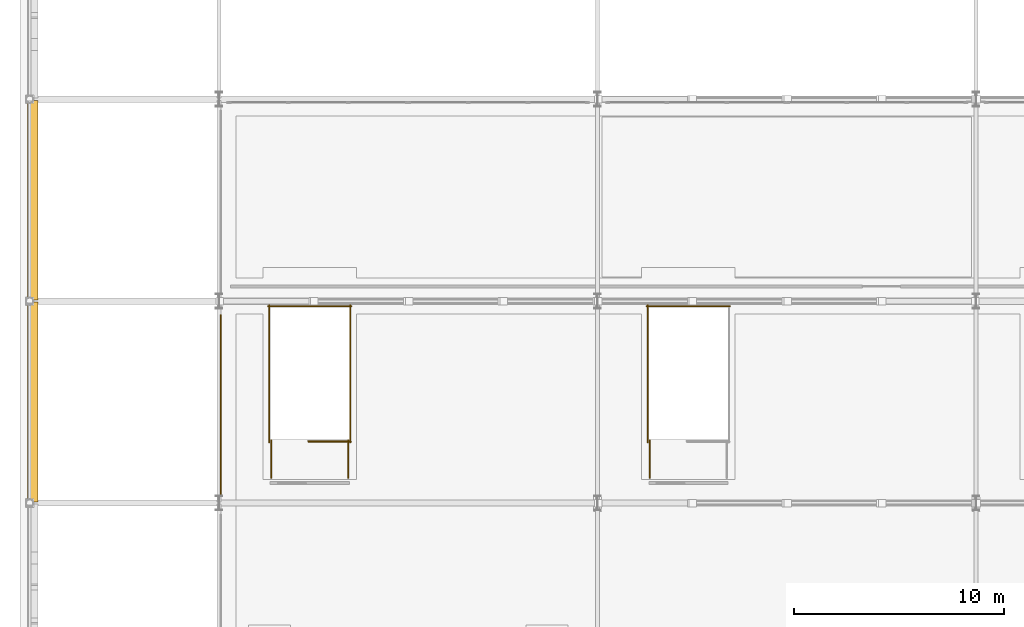
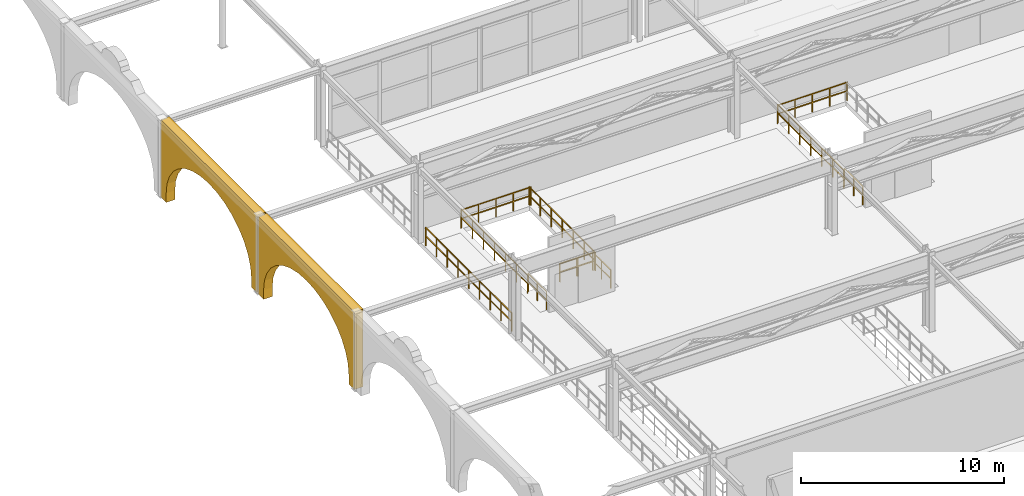
# One storey, part 103 of 125: 11 railings, 2 coverings.
"""IFC4 building model written with IfcOpenShell, lengths in metres."""

from ifc_helpers import new_model, si_unit, direction, frame, origin, origin_2d, place, context, subcontext, project, spatial, polyline, rectangle, outline, extrude, material, layer, layer_set, type_object, element, save


model = new_model("IFC4")

# Units and contexts
model_context = context("Model", 3, precision=1e-05, world=origin(), true_north=direction((0.0, 1.0)))
body_context = subcontext(model_context, "Body", "Model", "MODEL_VIEW")
ifc_project = project(units=[si_unit("LENGTHUNIT", "METRE"), si_unit("AREAUNIT", "SQUARE_METRE"), si_unit("VOLUMEUNIT", "CUBIC_METRE"), si_unit("PLANEANGLEUNIT", "RADIAN"), si_unit("MASSUNIT", "GRAM", prefix="KILO")], contexts=[model_context])

# Site, building, storey
site_placement = place(None, origin())
site = spatial("IfcSite", under=ifc_project, at=site_placement, CompositionType="ELEMENT")
building_placement = place(site_placement, origin())
building = spatial("IfcBuilding", under=site, at=building_placement, Name="Myrtia Square Station", CompositionType="ELEMENT")
storey_placement = place(building_placement, frame((0.0, 0.0, 6.0)))
storey = spatial("IfcBuildingStorey", under=building, at=storey_placement, Name="L01", CompositionType="ELEMENT", Elevation=6.0)

# Coverings
ifc_material_1 = material(Name="Pentelic marble ashlar", Category="masonry")
ifc_layer = layer(ifc_material_1, 0.4599609375, Name="Pentelic marble ashlar")
ifc_layer_set = layer_set([ifc_layer], Name="Pentelic marble ashlar")
covering_type = type_object("IfcCoveringType", Name="COV-ARCH-ASHLAR", PredefinedType="CLADDING", material=ifc_layer_set)
for number, where, z_axis, x_axis, name in (
    (1, (0.14990234375, 67.25, -0.050048828125), (0.0, 0.0, 1.0), (0.0, 1.0, 0.0), "Train shed west track-throat portal arch 058"),
    (2, (0.14990234375, 76.85009765625, -0.050048828125), (0.0, 0.0, 1.0), (0.0, 1.0, 0.0), "Train shed west track-throat portal arch 059"),
):
    element("IfcCovering", number, at=place(storey_placement, frame(where, z_axis=z_axis, x_axis=x_axis)), inside=storey, type_object=covering_type, Name=name, PredefinedType="CLADDING", context=body_context, shape_type="SweptSolid", body=[
        extrude(outline(polyline([(0.0, 0.0), (0.550048828125, 0.0), (0.550048828125, 0.550048828125), (0.630615234375, 1.16455078125), (0.86962890625, 1.755615234375), (1.2578125, 2.300048828125), (1.7802734375, 2.77734375), (2.41650390625, 3.169189453125), (3.142822265625, 3.460205078125), (3.9306640625, 3.639404296875), (4.75, 3.699951171875), (5.5693359375, 3.639404296875), (6.357177734375, 3.460205078125), (7.08349609375, 3.169189453125), (7.7197265625, 2.77734375), (8.2421875, 2.300048828125), (8.63037109375, 1.755615234375), (8.869384765625, 1.16455078125), (8.949951171875, 0.550048828125), (8.949951171875, 0.0), (9.5, 0.0), (9.5, 4.670166015625), (0.0, 4.670166015625), (0.0, 0.0)])), frame((0.0, 0.25, 0.0), z_axis=(0.0, -1.0, 0.0), x_axis=(1.0, 0.0, 0.0)), (0.0, 0.0, 1.0), 0.5),
    ])

# Railings
ifc_material_2 = material(Name="Wrought iron", Category="steel")
railing_type = type_object("IfcRailingType", Name="RL-INT-GUARD-1100", PredefinedType="BALUSTRADE", material=ifc_material_2)
railing_1_placement = place(storey_placement, frame((15.199951171875, 70.14990234375, 0.0)))
element("IfcRailing", 3, at=railing_1_placement, inside=storey, type_object=railing_type, Name="L01 ST65 top well guard 1", PredefinedType="BALUSTRADE", context=body_context, shape_type="SweptSolid", body=[
    extrude(rectangle(XDim=0.048095703125, YDim=0.048095703125, at=origin_2d()), frame((-0.03466796875, 0.0, 1.09619140625), z_axis=(-1.0, 0.0, 0.0), x_axis=(0.0, -1.0, 0.0)), (0.0, 0.0, 1.0), 0.91064453125),
    extrude(rectangle(XDim=0.048095703125, YDim=0.048095703125, at=origin_2d()), frame((-0.03466796875, 0.0, 0.58251953125), z_axis=(-1.0, 0.0, 0.0), x_axis=(0.0, -1.0, 0.0)), (0.0, 0.0, 1.0), 0.91064453125),
    extrude(rectangle(XDim=0.048095703125, YDim=0.048095703125, at=origin_2d()), frame((-1.0146484375, 0.0, 1.09619140625), z_axis=(-1.0, 0.0, 0.0), x_axis=(0.0, -1.0, 0.0)), (0.0, 0.0, 1.0), 0.91064453125),
    extrude(rectangle(XDim=0.048095703125, YDim=0.048095703125, at=origin_2d()), frame((-1.0146484375, 0.0, 0.58251953125), z_axis=(-1.0, 0.0, 0.0), x_axis=(0.0, -1.0, 0.0)), (0.0, 0.0, 1.0), 0.91064453125),
    extrude(rectangle(XDim=0.0439453125, YDim=0.0439453125, at=origin_2d()), origin(), (0.0, 0.0, 1.0), 1.1201171875),
    extrude(rectangle(XDim=0.0439453125, YDim=0.0439453125, at=origin_2d()), frame((-0.97998046875, 0.0, 0.0)), (0.0, 0.0, 1.0), 1.1201171875),
    extrude(rectangle(XDim=0.0439453125, YDim=0.0439453125, at=origin_2d()), frame((-1.9599609375, 0.0, 0.0)), (0.0, 0.0, 1.0), 1.1201171875),
])
railing_2_placement = place(storey_placement, frame((15.25, 70.10009765625, 0.0)))
element("IfcRailing", 4, at=railing_2_placement, inside=storey, type_object=railing_type, Name="L01 ST65 top well guard 2", PredefinedType="BALUSTRADE", context=body_context, shape_type="SweptSolid", body=[
    extrude(rectangle(XDim=0.048095703125, YDim=0.048095703125, at=origin_2d()), frame((0.0, 0.03466796875, 1.09619140625), z_axis=(0.0, 1.0, 0.0), x_axis=(-1.0, 0.0, 0.0)), (0.0, 0.0, 1.0), 1.01416015625),
    extrude(rectangle(XDim=0.048095703125, YDim=0.048095703125, at=origin_2d()), frame((0.0, 0.03466796875, 0.58251953125), z_axis=(0.0, 1.0, 0.0), x_axis=(-1.0, 0.0, 0.0)), (0.0, 0.0, 1.0), 1.01416015625),
    extrude(rectangle(XDim=0.048095703125, YDim=0.048095703125, at=origin_2d()), frame((0.0, 1.117919921875, 1.09619140625), z_axis=(0.0, 1.0, 0.0), x_axis=(-1.0, 0.0, 0.0)), (0.0, 0.0, 1.0), 1.01416015625),
    extrude(rectangle(XDim=0.048095703125, YDim=0.048095703125, at=origin_2d()), frame((0.0, 1.117919921875, 0.58251953125), z_axis=(0.0, 1.0, 0.0), x_axis=(-1.0, 0.0, 0.0)), (0.0, 0.0, 1.0), 1.01416015625),
    extrude(rectangle(XDim=0.048095703125, YDim=0.048095703125, at=origin_2d()), frame((0.0, 2.201416015625, 1.09619140625), z_axis=(0.0, 1.0, 0.0), x_axis=(-1.0, 0.0, 0.0)), (0.0, 0.0, 1.0), 1.01416015625),
    extrude(rectangle(XDim=0.048095703125, YDim=0.048095703125, at=origin_2d()), frame((0.0, 2.201416015625, 0.58251953125), z_axis=(0.0, 1.0, 0.0), x_axis=(-1.0, 0.0, 0.0)), (0.0, 0.0, 1.0), 1.01416015625),
    extrude(rectangle(XDim=0.048095703125, YDim=0.048095703125, at=origin_2d()), frame((0.0, 3.28466796875, 1.09619140625), z_axis=(0.0, 1.0, 0.0), x_axis=(-1.0, 0.0, 0.0)), (0.0, 0.0, 1.0), 1.01416015625),
    extrude(rectangle(XDim=0.048095703125, YDim=0.048095703125, at=origin_2d()), frame((0.0, 3.28466796875, 0.58251953125), z_axis=(0.0, 1.0, 0.0), x_axis=(-1.0, 0.0, 0.0)), (0.0, 0.0, 1.0), 1.01416015625),
    extrude(rectangle(XDim=0.048095703125, YDim=0.048095703125, at=origin_2d()), frame((0.0, 4.367919921875, 1.09619140625), z_axis=(0.0, 1.0, 0.0), x_axis=(-1.0, 0.0, 0.0)), (0.0, 0.0, 1.0), 1.01416015625),
    extrude(rectangle(XDim=0.048095703125, YDim=0.048095703125, at=origin_2d()), frame((0.0, 4.367919921875, 0.58251953125), z_axis=(0.0, 1.0, 0.0), x_axis=(-1.0, 0.0, 0.0)), (0.0, 0.0, 1.0), 1.01416015625),
    extrude(rectangle(XDim=0.048095703125, YDim=0.048095703125, at=origin_2d()), frame((0.0, 5.451416015625, 1.09619140625), z_axis=(0.0, 1.0, 0.0), x_axis=(-1.0, 0.0, 0.0)), (0.0, 0.0, 1.0), 1.01416015625),
    extrude(rectangle(XDim=0.048095703125, YDim=0.048095703125, at=origin_2d()), frame((0.0, 5.451416015625, 0.58251953125), z_axis=(0.0, 1.0, 0.0), x_axis=(-1.0, 0.0, 0.0)), (0.0, 0.0, 1.0), 1.01416015625),
    extrude(rectangle(XDim=0.0439453125, YDim=0.0439453125, at=origin_2d()), origin(), (0.0, 0.0, 1.0), 1.1201171875),
    extrude(rectangle(XDim=0.0439453125, YDim=0.0439453125, at=origin_2d()), frame((0.0, 1.083251953125, 0.0)), (0.0, 0.0, 1.0), 1.1201171875),
    extrude(rectangle(XDim=0.0439453125, YDim=0.0439453125, at=origin_2d()), frame((0.0, 2.166748046875, 0.0)), (0.0, 0.0, 1.0), 1.1201171875),
    extrude(rectangle(XDim=0.0439453125, YDim=0.0439453125, at=origin_2d()), frame((0.0, 3.25, 0.0)), (0.0, 0.0, 1.0), 1.1201171875),
    extrude(rectangle(XDim=0.0439453125, YDim=0.0439453125, at=origin_2d()), frame((0.0, 4.333251953125, 0.0)), (0.0, 0.0, 1.0), 1.1201171875),
    extrude(rectangle(XDim=0.0439453125, YDim=0.0439453125, at=origin_2d()), frame((0.0, 5.416748046875, 0.0)), (0.0, 0.0, 1.0), 1.1201171875),
    extrude(rectangle(XDim=0.0439453125, YDim=0.0439453125, at=origin_2d()), frame((0.0, 6.5, 0.0)), (0.0, 0.0, 1.0), 1.1201171875),
])
railing_3_placement = place(storey_placement, frame((11.389892578125, 70.10009765625, 0.0)))
element("IfcRailing", 5, at=railing_3_placement, inside=storey, type_object=railing_type, Name="L01 ST65 top well guard 3", PredefinedType="BALUSTRADE", context=body_context, shape_type="SweptSolid", body=[
    extrude(rectangle(XDim=0.048095703125, YDim=0.048095703125, at=origin_2d()), frame((0.0, 0.03466796875, 1.09619140625), z_axis=(0.0, 1.0, 0.0), x_axis=(-1.0, 0.0, 0.0)), (0.0, 0.0, 1.0), 1.01416015625),
    extrude(rectangle(XDim=0.048095703125, YDim=0.048095703125, at=origin_2d()), frame((0.0, 0.03466796875, 0.58251953125), z_axis=(0.0, 1.0, 0.0), x_axis=(-1.0, 0.0, 0.0)), (0.0, 0.0, 1.0), 1.01416015625),
    extrude(rectangle(XDim=0.048095703125, YDim=0.048095703125, at=origin_2d()), frame((0.0, 1.117919921875, 1.09619140625), z_axis=(0.0, 1.0, 0.0), x_axis=(-1.0, 0.0, 0.0)), (0.0, 0.0, 1.0), 1.01416015625),
    extrude(rectangle(XDim=0.048095703125, YDim=0.048095703125, at=origin_2d()), frame((0.0, 1.117919921875, 0.58251953125), z_axis=(0.0, 1.0, 0.0), x_axis=(-1.0, 0.0, 0.0)), (0.0, 0.0, 1.0), 1.01416015625),
    extrude(rectangle(XDim=0.048095703125, YDim=0.048095703125, at=origin_2d()), frame((0.0, 2.201416015625, 1.09619140625), z_axis=(0.0, 1.0, 0.0), x_axis=(-1.0, 0.0, 0.0)), (0.0, 0.0, 1.0), 1.01416015625),
    extrude(rectangle(XDim=0.048095703125, YDim=0.048095703125, at=origin_2d()), frame((0.0, 2.201416015625, 0.58251953125), z_axis=(0.0, 1.0, 0.0), x_axis=(-1.0, 0.0, 0.0)), (0.0, 0.0, 1.0), 1.01416015625),
    extrude(rectangle(XDim=0.048095703125, YDim=0.048095703125, at=origin_2d()), frame((0.0, 3.28466796875, 1.09619140625), z_axis=(0.0, 1.0, 0.0), x_axis=(-1.0, 0.0, 0.0)), (0.0, 0.0, 1.0), 1.01416015625),
    extrude(rectangle(XDim=0.048095703125, YDim=0.048095703125, at=origin_2d()), frame((0.0, 3.28466796875, 0.58251953125), z_axis=(0.0, 1.0, 0.0), x_axis=(-1.0, 0.0, 0.0)), (0.0, 0.0, 1.0), 1.01416015625),
    extrude(rectangle(XDim=0.048095703125, YDim=0.048095703125, at=origin_2d()), frame((0.0, 4.367919921875, 1.09619140625), z_axis=(0.0, 1.0, 0.0), x_axis=(-1.0, 0.0, 0.0)), (0.0, 0.0, 1.0), 1.01416015625),
    extrude(rectangle(XDim=0.048095703125, YDim=0.048095703125, at=origin_2d()), frame((0.0, 4.367919921875, 0.58251953125), z_axis=(0.0, 1.0, 0.0), x_axis=(-1.0, 0.0, 0.0)), (0.0, 0.0, 1.0), 1.01416015625),
    extrude(rectangle(XDim=0.048095703125, YDim=0.048095703125, at=origin_2d()), frame((0.0, 5.451416015625, 1.09619140625), z_axis=(0.0, 1.0, 0.0), x_axis=(-1.0, 0.0, 0.0)), (0.0, 0.0, 1.0), 1.01416015625),
    extrude(rectangle(XDim=0.048095703125, YDim=0.048095703125, at=origin_2d()), frame((0.0, 5.451416015625, 0.58251953125), z_axis=(0.0, 1.0, 0.0), x_axis=(-1.0, 0.0, 0.0)), (0.0, 0.0, 1.0), 1.01416015625),
    extrude(rectangle(XDim=0.0439453125, YDim=0.0439453125, at=origin_2d()), origin(), (0.0, 0.0, 1.0), 1.1201171875),
    extrude(rectangle(XDim=0.0439453125, YDim=0.0439453125, at=origin_2d()), frame((0.0, 1.083251953125, 0.0)), (0.0, 0.0, 1.0), 1.1201171875),
    extrude(rectangle(XDim=0.0439453125, YDim=0.0439453125, at=origin_2d()), frame((0.0, 2.166748046875, 0.0)), (0.0, 0.0, 1.0), 1.1201171875),
    extrude(rectangle(XDim=0.0439453125, YDim=0.0439453125, at=origin_2d()), frame((0.0, 3.25, 0.0)), (0.0, 0.0, 1.0), 1.1201171875),
    extrude(rectangle(XDim=0.0439453125, YDim=0.0439453125, at=origin_2d()), frame((0.0, 4.333251953125, 0.0)), (0.0, 0.0, 1.0), 1.1201171875),
    extrude(rectangle(XDim=0.0439453125, YDim=0.0439453125, at=origin_2d()), frame((0.0, 5.416748046875, 0.0)), (0.0, 0.0, 1.0), 1.1201171875),
    extrude(rectangle(XDim=0.0439453125, YDim=0.0439453125, at=origin_2d()), frame((0.0, 6.5, 0.0)), (0.0, 0.0, 1.0), 1.1201171875),
])
railing_4_placement = place(storey_placement, frame((15.300048828125, 76.550048828125, 0.0)))
element("IfcRailing", 6, at=railing_4_placement, inside=storey, type_object=railing_type, Name="L01 ST65 top well guard 4", PredefinedType="BALUSTRADE", context=body_context, shape_type="SweptSolid", body=[
    extrude(rectangle(XDim=0.048095703125, YDim=0.048095703125, at=origin_2d()), frame((-0.03466796875, 0.0, 1.09619140625), z_axis=(-1.0, 0.0, 0.0), x_axis=(0.0, -1.0, 0.0)), (0.0, 0.0, 1.0), 0.920654296875),
    extrude(rectangle(XDim=0.048095703125, YDim=0.048095703125, at=origin_2d()), frame((-0.03466796875, 0.0, 0.58251953125), z_axis=(-1.0, 0.0, 0.0), x_axis=(0.0, -1.0, 0.0)), (0.0, 0.0, 1.0), 0.920654296875),
    extrude(rectangle(XDim=0.048095703125, YDim=0.048095703125, at=origin_2d()), frame((-1.024658203125, 0.0, 1.09619140625), z_axis=(-1.0, 0.0, 0.0), x_axis=(0.0, -1.0, 0.0)), (0.0, 0.0, 1.0), 0.920654296875),
    extrude(rectangle(XDim=0.048095703125, YDim=0.048095703125, at=origin_2d()), frame((-1.024658203125, 0.0, 0.58251953125), z_axis=(-1.0, 0.0, 0.0), x_axis=(0.0, -1.0, 0.0)), (0.0, 0.0, 1.0), 0.920654296875),
    extrude(rectangle(XDim=0.048095703125, YDim=0.048095703125, at=origin_2d()), frame((-2.0146484375, 0.0, 1.09619140625), z_axis=(-1.0, 0.0, 0.0), x_axis=(0.0, -1.0, 0.0)), (0.0, 0.0, 1.0), 0.920654296875),
    extrude(rectangle(XDim=0.048095703125, YDim=0.048095703125, at=origin_2d()), frame((-2.0146484375, 0.0, 0.58251953125), z_axis=(-1.0, 0.0, 0.0), x_axis=(0.0, -1.0, 0.0)), (0.0, 0.0, 1.0), 0.920654296875),
    extrude(rectangle(XDim=0.048095703125, YDim=0.048095703125, at=origin_2d()), frame((-3.004638671875, 0.0, 1.09619140625), z_axis=(-1.0, 0.0, 0.0), x_axis=(0.0, -1.0, 0.0)), (0.0, 0.0, 1.0), 0.920654296875),
    extrude(rectangle(XDim=0.048095703125, YDim=0.048095703125, at=origin_2d()), frame((-3.004638671875, 0.0, 0.58251953125), z_axis=(-1.0, 0.0, 0.0), x_axis=(0.0, -1.0, 0.0)), (0.0, 0.0, 1.0), 0.920654296875),
    extrude(rectangle(XDim=0.0439453125, YDim=0.0439453125, at=origin_2d()), origin(), (0.0, 0.0, 1.0), 1.1201171875),
    extrude(rectangle(XDim=0.0439453125, YDim=0.0439453125, at=origin_2d()), frame((-0.989990234375, 0.0, 0.0)), (0.0, 0.0, 1.0), 1.1201171875),
    extrude(rectangle(XDim=0.0439453125, YDim=0.0439453125, at=origin_2d()), frame((-1.97998046875, 0.0, 0.0)), (0.0, 0.0, 1.0), 1.1201171875),
    extrude(rectangle(XDim=0.0439453125, YDim=0.0439453125, at=origin_2d()), frame((-2.969970703125, 0.0, 0.0)), (0.0, 0.0, 1.0), 1.1201171875),
    extrude(rectangle(XDim=0.0439453125, YDim=0.0439453125, at=origin_2d()), frame((-3.9599609375, 0.0, 0.0)), (0.0, 0.0, 1.0), 1.1201171875),
])
for number, where, name in (
    (7, (15.14990234375, 68.39990234375, 0.0), "L01 ST65 top well guard 5"),
    (8, (11.489990234375, 68.39990234375, 0.0), "L01 ST65 top well guard 6"),
):
    element("IfcRailing", number, at=place(storey_placement, frame(where)), inside=storey, type_object=railing_type, Name=name, PredefinedType="BALUSTRADE", context=body_context, shape_type="SweptSolid", body=[
        extrude(rectangle(XDim=0.048095703125, YDim=0.048095703125, at=origin_2d()), frame((0.0, 0.03466796875, 1.09619140625), z_axis=(0.0, 1.0, 0.0), x_axis=(-1.0, 0.0, 0.0)), (0.0, 0.0, 1.0), 0.830810546875),
        extrude(rectangle(XDim=0.048095703125, YDim=0.048095703125, at=origin_2d()), frame((0.0, 0.03466796875, 0.58251953125), z_axis=(0.0, 1.0, 0.0), x_axis=(-1.0, 0.0, 0.0)), (0.0, 0.0, 1.0), 0.830810546875),
        extrude(rectangle(XDim=0.048095703125, YDim=0.048095703125, at=origin_2d()), frame((0.0, 0.9345703125, 1.09619140625), z_axis=(0.0, 1.0, 0.0), x_axis=(-1.0, 0.0, 0.0)), (0.0, 0.0, 1.0), 0.830810546875),
        extrude(rectangle(XDim=0.048095703125, YDim=0.048095703125, at=origin_2d()), frame((0.0, 0.9345703125, 0.58251953125), z_axis=(0.0, 1.0, 0.0), x_axis=(-1.0, 0.0, 0.0)), (0.0, 0.0, 1.0), 0.830810546875),
        extrude(rectangle(XDim=0.0439453125, YDim=0.0439453125, at=origin_2d()), origin(), (0.0, 0.0, 1.0), 1.1201171875),
        extrude(rectangle(XDim=0.0439453125, YDim=0.0439453125, at=origin_2d()), frame((0.0, 0.89990234375, 0.0)), (0.0, 0.0, 1.0), 1.1201171875),
        extrude(rectangle(XDim=0.0439453125, YDim=0.0439453125, at=origin_2d()), frame((0.0, 1.800048828125, 0.0)), (0.0, 0.0, 1.0), 1.1201171875),
    ])
railing_5_placement = place(storey_placement, frame((29.389892578125, 70.10009765625, 0.0)))
element("IfcRailing", 9, at=railing_5_placement, inside=storey, type_object=railing_type, Name="L01 ST66 top well guard 3", PredefinedType="BALUSTRADE", context=body_context, shape_type="SweptSolid", body=[
    extrude(rectangle(XDim=0.048095703125, YDim=0.048095703125, at=origin_2d()), frame((0.0, 0.03466796875, 1.09619140625), z_axis=(0.0, 1.0, 0.0), x_axis=(-1.0, 0.0, 0.0)), (0.0, 0.0, 1.0), 1.01416015625),
    extrude(rectangle(XDim=0.048095703125, YDim=0.048095703125, at=origin_2d()), frame((0.0, 0.03466796875, 0.58251953125), z_axis=(0.0, 1.0, 0.0), x_axis=(-1.0, 0.0, 0.0)), (0.0, 0.0, 1.0), 1.01416015625),
    extrude(rectangle(XDim=0.048095703125, YDim=0.048095703125, at=origin_2d()), frame((0.0, 1.117919921875, 1.09619140625), z_axis=(0.0, 1.0, 0.0), x_axis=(-1.0, 0.0, 0.0)), (0.0, 0.0, 1.0), 1.01416015625),
    extrude(rectangle(XDim=0.048095703125, YDim=0.048095703125, at=origin_2d()), frame((0.0, 1.117919921875, 0.58251953125), z_axis=(0.0, 1.0, 0.0), x_axis=(-1.0, 0.0, 0.0)), (0.0, 0.0, 1.0), 1.01416015625),
    extrude(rectangle(XDim=0.048095703125, YDim=0.048095703125, at=origin_2d()), frame((0.0, 2.201416015625, 1.09619140625), z_axis=(0.0, 1.0, 0.0), x_axis=(-1.0, 0.0, 0.0)), (0.0, 0.0, 1.0), 1.01416015625),
    extrude(rectangle(XDim=0.048095703125, YDim=0.048095703125, at=origin_2d()), frame((0.0, 2.201416015625, 0.58251953125), z_axis=(0.0, 1.0, 0.0), x_axis=(-1.0, 0.0, 0.0)), (0.0, 0.0, 1.0), 1.01416015625),
    extrude(rectangle(XDim=0.048095703125, YDim=0.048095703125, at=origin_2d()), frame((0.0, 3.28466796875, 1.09619140625), z_axis=(0.0, 1.0, 0.0), x_axis=(-1.0, 0.0, 0.0)), (0.0, 0.0, 1.0), 1.01416015625),
    extrude(rectangle(XDim=0.048095703125, YDim=0.048095703125, at=origin_2d()), frame((0.0, 3.28466796875, 0.58251953125), z_axis=(0.0, 1.0, 0.0), x_axis=(-1.0, 0.0, 0.0)), (0.0, 0.0, 1.0), 1.01416015625),
    extrude(rectangle(XDim=0.048095703125, YDim=0.048095703125, at=origin_2d()), frame((0.0, 4.367919921875, 1.09619140625), z_axis=(0.0, 1.0, 0.0), x_axis=(-1.0, 0.0, 0.0)), (0.0, 0.0, 1.0), 1.01416015625),
    extrude(rectangle(XDim=0.048095703125, YDim=0.048095703125, at=origin_2d()), frame((0.0, 4.367919921875, 0.58251953125), z_axis=(0.0, 1.0, 0.0), x_axis=(-1.0, 0.0, 0.0)), (0.0, 0.0, 1.0), 1.01416015625),
    extrude(rectangle(XDim=0.048095703125, YDim=0.048095703125, at=origin_2d()), frame((0.0, 5.451416015625, 1.09619140625), z_axis=(0.0, 1.0, 0.0), x_axis=(-1.0, 0.0, 0.0)), (0.0, 0.0, 1.0), 1.01416015625),
    extrude(rectangle(XDim=0.048095703125, YDim=0.048095703125, at=origin_2d()), frame((0.0, 5.451416015625, 0.58251953125), z_axis=(0.0, 1.0, 0.0), x_axis=(-1.0, 0.0, 0.0)), (0.0, 0.0, 1.0), 1.01416015625),
    extrude(rectangle(XDim=0.0439453125, YDim=0.0439453125, at=origin_2d()), origin(), (0.0, 0.0, 1.0), 1.1201171875),
    extrude(rectangle(XDim=0.0439453125, YDim=0.0439453125, at=origin_2d()), frame((0.0, 1.083251953125, 0.0)), (0.0, 0.0, 1.0), 1.1201171875),
    extrude(rectangle(XDim=0.0439453125, YDim=0.0439453125, at=origin_2d()), frame((0.0, 2.166748046875, 0.0)), (0.0, 0.0, 1.0), 1.1201171875),
    extrude(rectangle(XDim=0.0439453125, YDim=0.0439453125, at=origin_2d()), frame((0.0, 3.25, 0.0)), (0.0, 0.0, 1.0), 1.1201171875),
    extrude(rectangle(XDim=0.0439453125, YDim=0.0439453125, at=origin_2d()), frame((0.0, 4.333251953125, 0.0)), (0.0, 0.0, 1.0), 1.1201171875),
    extrude(rectangle(XDim=0.0439453125, YDim=0.0439453125, at=origin_2d()), frame((0.0, 5.416748046875, 0.0)), (0.0, 0.0, 1.0), 1.1201171875),
    extrude(rectangle(XDim=0.0439453125, YDim=0.0439453125, at=origin_2d()), frame((0.0, 6.5, 0.0)), (0.0, 0.0, 1.0), 1.1201171875),
])
railing_6_placement = place(storey_placement, frame((33.300048828125, 76.550048828125, 0.0)))
element("IfcRailing", 10, at=railing_6_placement, inside=storey, type_object=railing_type, Name="L01 ST66 top well guard 4", PredefinedType="BALUSTRADE", context=body_context, shape_type="SweptSolid", body=[
    extrude(rectangle(XDim=0.048095703125, YDim=0.048095703125, at=origin_2d()), frame((-0.03466796875, 0.0, 1.09619140625), z_axis=(-1.0, 0.0, 0.0), x_axis=(0.0, -1.0, 0.0)), (0.0, 0.0, 1.0), 0.920654296875),
    extrude(rectangle(XDim=0.048095703125, YDim=0.048095703125, at=origin_2d()), frame((-0.03466796875, 0.0, 0.58251953125), z_axis=(-1.0, 0.0, 0.0), x_axis=(0.0, -1.0, 0.0)), (0.0, 0.0, 1.0), 0.920654296875),
    extrude(rectangle(XDim=0.048095703125, YDim=0.048095703125, at=origin_2d()), frame((-1.024658203125, 0.0, 1.09619140625), z_axis=(-1.0, 0.0, 0.0), x_axis=(0.0, -1.0, 0.0)), (0.0, 0.0, 1.0), 0.920654296875),
    extrude(rectangle(XDim=0.048095703125, YDim=0.048095703125, at=origin_2d()), frame((-1.024658203125, 0.0, 0.58251953125), z_axis=(-1.0, 0.0, 0.0), x_axis=(0.0, -1.0, 0.0)), (0.0, 0.0, 1.0), 0.920654296875),
    extrude(rectangle(XDim=0.048095703125, YDim=0.048095703125, at=origin_2d()), frame((-2.0146484375, 0.0, 1.09619140625), z_axis=(-1.0, 0.0, 0.0), x_axis=(0.0, -1.0, 0.0)), (0.0, 0.0, 1.0), 0.920654296875),
    extrude(rectangle(XDim=0.048095703125, YDim=0.048095703125, at=origin_2d()), frame((-2.0146484375, 0.0, 0.58251953125), z_axis=(-1.0, 0.0, 0.0), x_axis=(0.0, -1.0, 0.0)), (0.0, 0.0, 1.0), 0.920654296875),
    extrude(rectangle(XDim=0.048095703125, YDim=0.048095703125, at=origin_2d()), frame((-3.004638671875, 0.0, 1.09619140625), z_axis=(-1.0, 0.0, 0.0), x_axis=(0.0, -1.0, 0.0)), (0.0, 0.0, 1.0), 0.920654296875),
    extrude(rectangle(XDim=0.048095703125, YDim=0.048095703125, at=origin_2d()), frame((-3.004638671875, 0.0, 0.58251953125), z_axis=(-1.0, 0.0, 0.0), x_axis=(0.0, -1.0, 0.0)), (0.0, 0.0, 1.0), 0.920654296875),
    extrude(rectangle(XDim=0.0439453125, YDim=0.0439453125, at=origin_2d()), origin(), (0.0, 0.0, 1.0), 1.1201171875),
    extrude(rectangle(XDim=0.0439453125, YDim=0.0439453125, at=origin_2d()), frame((-0.989990234375, 0.0, 0.0)), (0.0, 0.0, 1.0), 1.1201171875),
    extrude(rectangle(XDim=0.0439453125, YDim=0.0439453125, at=origin_2d()), frame((-1.97998046875, 0.0, 0.0)), (0.0, 0.0, 1.0), 1.1201171875),
    extrude(rectangle(XDim=0.0439453125, YDim=0.0439453125, at=origin_2d()), frame((-2.969970703125, 0.0, 0.0)), (0.0, 0.0, 1.0), 1.1201171875),
    extrude(rectangle(XDim=0.0439453125, YDim=0.0439453125, at=origin_2d()), frame((-3.9599609375, 0.0, 0.0)), (0.0, 0.0, 1.0), 1.1201171875),
])
railing_7_placement = place(storey_placement, frame((29.489990234375, 68.39990234375, 0.0)))
element("IfcRailing", 11, at=railing_7_placement, inside=storey, type_object=railing_type, Name="L01 ST66 top well guard 6", PredefinedType="BALUSTRADE", context=body_context, shape_type="SweptSolid", body=[
    extrude(rectangle(XDim=0.048095703125, YDim=0.048095703125, at=origin_2d()), frame((0.0, 0.03466796875, 1.09619140625), z_axis=(0.0, 1.0, 0.0), x_axis=(-1.0, 0.0, 0.0)), (0.0, 0.0, 1.0), 0.830810546875),
    extrude(rectangle(XDim=0.048095703125, YDim=0.048095703125, at=origin_2d()), frame((0.0, 0.03466796875, 0.58251953125), z_axis=(0.0, 1.0, 0.0), x_axis=(-1.0, 0.0, 0.0)), (0.0, 0.0, 1.0), 0.830810546875),
    extrude(rectangle(XDim=0.048095703125, YDim=0.048095703125, at=origin_2d()), frame((0.0, 0.9345703125, 1.09619140625), z_axis=(0.0, 1.0, 0.0), x_axis=(-1.0, 0.0, 0.0)), (0.0, 0.0, 1.0), 0.830810546875),
    extrude(rectangle(XDim=0.048095703125, YDim=0.048095703125, at=origin_2d()), frame((0.0, 0.9345703125, 0.58251953125), z_axis=(0.0, 1.0, 0.0), x_axis=(-1.0, 0.0, 0.0)), (0.0, 0.0, 1.0), 0.830810546875),
    extrude(rectangle(XDim=0.0439453125, YDim=0.0439453125, at=origin_2d()), origin(), (0.0, 0.0, 1.0), 1.1201171875),
    extrude(rectangle(XDim=0.0439453125, YDim=0.0439453125, at=origin_2d()), frame((0.0, 0.89990234375, 0.0)), (0.0, 0.0, 1.0), 1.1201171875),
    extrude(rectangle(XDim=0.0439453125, YDim=0.0439453125, at=origin_2d()), frame((0.0, 1.800048828125, 0.0)), (0.0, 0.0, 1.0), 1.1201171875),
])
railing_8_placement = place(storey_placement, frame((13.260009765625, 70.1201171875, 0.0)))
element("IfcRailing", 12, at=railing_8_placement, inside=storey, type_object=railing_type, Name="Interchange stair 1 well return guard", PredefinedType="BALUSTRADE", context=body_context, shape_type="SweptSolid", body=[
    extrude(rectangle(XDim=0.048095703125, YDim=0.048095703125, at=origin_2d()), frame((0.03466796875, 0.0, 1.09619140625), z_axis=(1.0, 0.0, 0.0), x_axis=(0.0, 1.0, 0.0)), (0.0, 0.0, 1.0), 0.9306640625),
    extrude(rectangle(XDim=0.048095703125, YDim=0.048095703125, at=origin_2d()), frame((0.03466796875, 0.0, 0.58251953125), z_axis=(1.0, 0.0, 0.0), x_axis=(0.0, 1.0, 0.0)), (0.0, 0.0, 1.0), 0.9306640625),
    extrude(rectangle(XDim=0.048095703125, YDim=0.048095703125, at=origin_2d()), frame((1.03466796875, 0.0, 1.09619140625), z_axis=(1.0, 0.0, 0.0), x_axis=(0.0, 1.0, 0.0)), (0.0, 0.0, 1.0), 0.9306640625),
    extrude(rectangle(XDim=0.048095703125, YDim=0.048095703125, at=origin_2d()), frame((1.03466796875, 0.0, 0.58251953125), z_axis=(1.0, 0.0, 0.0), x_axis=(0.0, 1.0, 0.0)), (0.0, 0.0, 1.0), 0.9306640625),
    extrude(rectangle(XDim=0.0439453125, YDim=0.0439453125, at=origin_2d()), origin(), (0.0, 0.0, 1.0), 1.1201171875),
    extrude(rectangle(XDim=0.0439453125, YDim=0.0439453125, at=origin_2d()), frame((1.0, 0.0, 0.0)), (0.0, 0.0, 1.0), 1.1201171875),
    extrude(rectangle(XDim=0.0439453125, YDim=0.0439453125, at=origin_2d()), frame((2.0, 0.0, 0.0)), (0.0, 0.0, 1.0), 1.1201171875),
])
railing_9_placement = place(storey_placement, frame((9.080078125, 76.12109375, 0.0)))
element("IfcRailing", 13, at=railing_9_placement, inside=storey, type_object=railing_type, Name="Perimeter slab edge balustrade L01-003", PredefinedType="BALUSTRADE", context=body_context, shape_type="SweptSolid", body=[
    extrude(rectangle(XDim=0.048095703125, YDim=0.048095703125, at=origin_2d()), frame((0.0, -0.03466796875, 1.09619140625), z_axis=(0.0, -1.0, 0.0), x_axis=(1.0, 0.0, 0.0)), (0.0, 0.0, 1.0), 0.990966796875),
    extrude(rectangle(XDim=0.048095703125, YDim=0.048095703125, at=origin_2d()), frame((0.0, -0.03466796875, 0.58251953125), z_axis=(0.0, -1.0, 0.0), x_axis=(1.0, 0.0, 0.0)), (0.0, 0.0, 1.0), 0.990966796875),
    extrude(rectangle(XDim=0.048095703125, YDim=0.048095703125, at=origin_2d()), frame((0.0, -1.094970703125, 1.09619140625), z_axis=(0.0, -1.0, 0.0), x_axis=(1.0, 0.0, 0.0)), (0.0, 0.0, 1.0), 0.990966796875),
    extrude(rectangle(XDim=0.048095703125, YDim=0.048095703125, at=origin_2d()), frame((0.0, -1.094970703125, 0.58251953125), z_axis=(0.0, -1.0, 0.0), x_axis=(1.0, 0.0, 0.0)), (0.0, 0.0, 1.0), 0.990966796875),
    extrude(rectangle(XDim=0.048095703125, YDim=0.048095703125, at=origin_2d()), frame((0.0, -2.1552734375, 1.09619140625), z_axis=(0.0, -1.0, 0.0), x_axis=(1.0, 0.0, 0.0)), (0.0, 0.0, 1.0), 0.990966796875),
    extrude(rectangle(XDim=0.048095703125, YDim=0.048095703125, at=origin_2d()), frame((0.0, -2.1552734375, 0.58251953125), z_axis=(0.0, -1.0, 0.0), x_axis=(1.0, 0.0, 0.0)), (0.0, 0.0, 1.0), 0.990966796875),
    extrude(rectangle(XDim=0.048095703125, YDim=0.048095703125, at=origin_2d()), frame((0.0, -3.215576171875, 1.09619140625), z_axis=(0.0, -1.0, 0.0), x_axis=(1.0, 0.0, 0.0)), (0.0, 0.0, 1.0), 0.990966796875),
    extrude(rectangle(XDim=0.048095703125, YDim=0.048095703125, at=origin_2d()), frame((0.0, -3.215576171875, 0.58251953125), z_axis=(0.0, -1.0, 0.0), x_axis=(1.0, 0.0, 0.0)), (0.0, 0.0, 1.0), 0.990966796875),
    extrude(rectangle(XDim=0.048095703125, YDim=0.048095703125, at=origin_2d()), frame((0.0, -4.275634765625, 1.09619140625), z_axis=(0.0, -1.0, 0.0), x_axis=(1.0, 0.0, 0.0)), (0.0, 0.0, 1.0), 0.990966796875),
    extrude(rectangle(XDim=0.048095703125, YDim=0.048095703125, at=origin_2d()), frame((0.0, -4.275634765625, 0.58251953125), z_axis=(0.0, -1.0, 0.0), x_axis=(1.0, 0.0, 0.0)), (0.0, 0.0, 1.0), 0.990966796875),
    extrude(rectangle(XDim=0.048095703125, YDim=0.048095703125, at=origin_2d()), frame((0.0, -5.3359375, 1.09619140625), z_axis=(0.0, -1.0, 0.0), x_axis=(1.0, 0.0, 0.0)), (0.0, 0.0, 1.0), 0.990966796875),
    extrude(rectangle(XDim=0.048095703125, YDim=0.048095703125, at=origin_2d()), frame((0.0, -5.3359375, 0.58251953125), z_axis=(0.0, -1.0, 0.0), x_axis=(1.0, 0.0, 0.0)), (0.0, 0.0, 1.0), 0.990966796875),
    extrude(rectangle(XDim=0.048095703125, YDim=0.048095703125, at=origin_2d()), frame((0.0, -6.396240234375, 1.09619140625), z_axis=(0.0, -1.0, 0.0), x_axis=(1.0, 0.0, 0.0)), (0.0, 0.0, 1.0), 0.990966796875),
    extrude(rectangle(XDim=0.048095703125, YDim=0.048095703125, at=origin_2d()), frame((0.0, -6.396240234375, 0.58251953125), z_axis=(0.0, -1.0, 0.0), x_axis=(1.0, 0.0, 0.0)), (0.0, 0.0, 1.0), 0.990966796875),
    extrude(rectangle(XDim=0.048095703125, YDim=0.048095703125, at=origin_2d()), frame((0.0, -7.45654296875, 1.09619140625), z_axis=(0.0, -1.0, 0.0), x_axis=(1.0, 0.0, 0.0)), (0.0, 0.0, 1.0), 0.990966796875),
    extrude(rectangle(XDim=0.048095703125, YDim=0.048095703125, at=origin_2d()), frame((0.0, -7.45654296875, 0.58251953125), z_axis=(0.0, -1.0, 0.0), x_axis=(1.0, 0.0, 0.0)), (0.0, 0.0, 1.0), 0.990966796875),
    extrude(rectangle(XDim=0.0439453125, YDim=0.0439453125, at=origin_2d()), origin(), (0.0, 0.0, 1.0), 1.1201171875),
    extrude(rectangle(XDim=0.0439453125, YDim=0.0439453125, at=origin_2d()), frame((0.0, -1.060302734375, 0.0)), (0.0, 0.0, 1.0), 1.1201171875),
    extrude(rectangle(XDim=0.0439453125, YDim=0.0439453125, at=origin_2d()), frame((0.0, -2.12060546875, 0.0)), (0.0, 0.0, 1.0), 1.1201171875),
    extrude(rectangle(XDim=0.0439453125, YDim=0.0439453125, at=origin_2d()), frame((0.0, -3.180908203125, 0.0)), (0.0, 0.0, 1.0), 1.1201171875),
    extrude(rectangle(XDim=0.0439453125, YDim=0.0439453125, at=origin_2d()), frame((0.0, -4.2412109375, 0.0)), (0.0, 0.0, 1.0), 1.1201171875),
    extrude(rectangle(XDim=0.0439453125, YDim=0.0439453125, at=origin_2d()), frame((0.0, -5.30126953125, 0.0)), (0.0, 0.0, 1.0), 1.1201171875),
    extrude(rectangle(XDim=0.0439453125, YDim=0.0439453125, at=origin_2d()), frame((0.0, -6.361572265625, 0.0)), (0.0, 0.0, 1.0), 1.1201171875),
    extrude(rectangle(XDim=0.0439453125, YDim=0.0439453125, at=origin_2d()), frame((0.0, -7.421875, 0.0)), (0.0, 0.0, 1.0), 1.1201171875),
    extrude(rectangle(XDim=0.0439453125, YDim=0.0439453125, at=origin_2d()), frame((0.0, -8.482177734375, 0.0)), (0.0, 0.0, 1.0), 1.1201171875),
])

save(model, "model.ifc")
